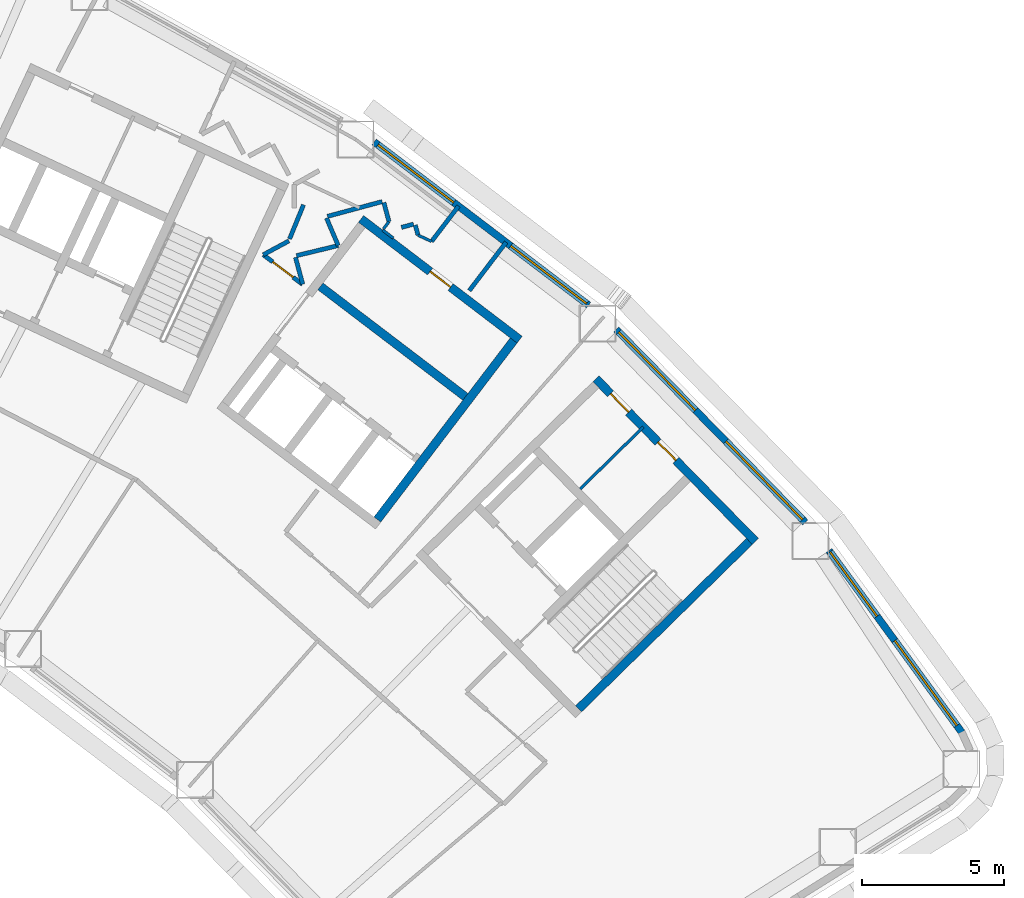
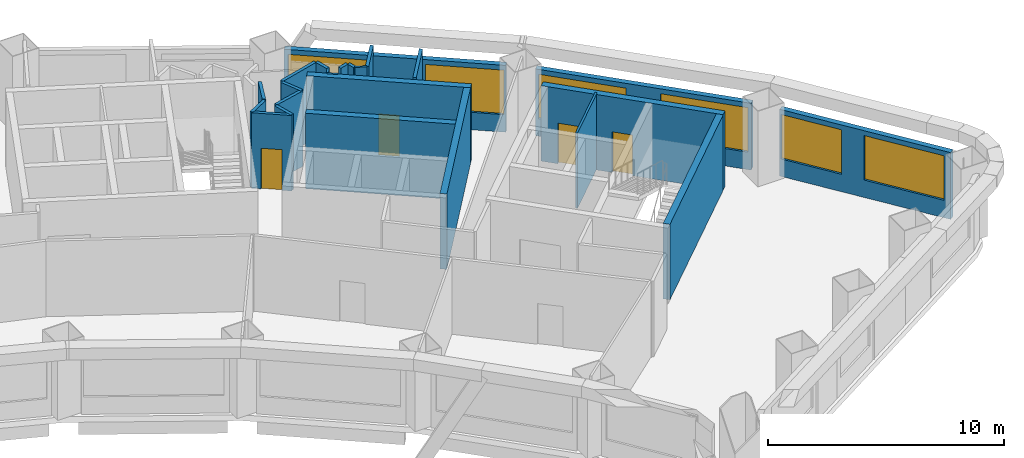
# One storey, part 7 of 11: 24 walls, 6 windows, 4 doors, 10 openings.
"""IFC4 building model written with IfcOpenShell, lengths in metres."""

import ifcopenshell
import ifcopenshell.guid

model = None  # the IFC model being written
_history = None  # IfcOwnerHistory: only IFC2X3 demands one
_inside = {}  # id of a spatial element -> (the spatial element, [elements in it])
_under = {}  # id of a project, library or spatial element -> (it, [spatial elements below it])
_declared = {}  # id of a project -> (the project, [libraries it declares])
_typed = {}  # id of a type object -> (the type object, [elements of that type])
_made_of = {}  # id of a material, layer set ... -> (it, [elements and type objects made of it])


def new_model(schema):
    """Start an empty IFC model of exactly this schema.

    Asked for "IFC4X3", IfcOpenShell would pick the latest addendum, in which some entities
    have other attributes; the version numbers below select the first issue.
    IFC2X3 requires an IfcOwnerHistory on every rooted entity: one is made here for all.
    """
    global model, _history
    if schema == "IFC4X3":
        model = ifcopenshell.file(schema_version=(4, 3, 0, 0))
    else:
        model = ifcopenshell.file(schema=schema)
    _inside.clear()
    _under.clear()
    _declared.clear()
    _typed.clear()
    _made_of.clear()
    _history = None
    if model.schema == "IFC2X3":
        org = make("IfcOrganization", Name="unknown")
        user = make(
            "IfcPersonAndOrganization",
            ThePerson=make("IfcPerson", FamilyName="unknown"),
            TheOrganization=org,
        )
        app = make(
            "IfcApplication",
            ApplicationDeveloper=org,
            Version="unknown",
            ApplicationFullName="unknown",
            ApplicationIdentifier="unknown",
        )
        _history = make(
            "IfcOwnerHistory",
            OwningUser=user,
            OwningApplication=app,
            ChangeAction="ADDED",
            CreationDate=0,
        )
    return model


def make(cls, **values):
    """One entity of the class cls with the attributes given. An attribute that is None is left unset."""
    return model.create_entity(
        cls, **{name: value for name, value in values.items() if value is not None}
    )


def rooted(cls, **values):
    """An entity with a GlobalId (a new one), such as an element, a storey or a relation."""
    return make(cls, GlobalId=ifcopenshell.guid.new(), OwnerHistory=_history, **values)


def si_unit(unit_type, name, prefix=None):
    """IfcSIUnit, for example si_unit("LENGTHUNIT", "METRE", prefix="MILLI")."""
    return make("IfcSIUnit", UnitType=unit_type, Prefix=prefix, Name=name)


def assignment(units):
    """IfcUnitAssignment: the units of a project."""
    return None if units is None else make("IfcUnitAssignment", Units=units)


def point(xyz):
    """IfcCartesianPoint."""
    return None if xyz is None else make("IfcCartesianPoint", Coordinates=xyz)


def direction(xyz):
    """IfcDirection."""
    return None if xyz is None else make("IfcDirection", DirectionRatios=xyz)


def frame(location, z_axis=None, x_axis=None):
    """IfcAxis2Placement3D, a coordinate frame: its origin and axes. An axis left out is left unset."""
    return make(
        "IfcAxis2Placement3D",
        Location=point(location),
        Axis=direction(z_axis),
        RefDirection=direction(x_axis),
    )


def frame_2d(location, x_axis=None):
    """IfcAxis2Placement2D, a coordinate frame in the plane: its origin and x axis."""
    return make(
        "IfcAxis2Placement2D", Location=point(location), RefDirection=direction(x_axis)
    )


def origin():
    """The frame at (0, 0, 0) with its axes left unset."""
    return frame((0.0, 0.0, 0.0))


def place(relative_to, where):
    """IfcLocalPlacement: puts the frame where relative to a parent placement (None: the world)."""
    return make(
        "IfcLocalPlacement", PlacementRelTo=relative_to, RelativePlacement=where
    )


def context(
    kind, dimensions, precision=None, world=None, true_north=None, identifier=None
):
    """IfcGeometricRepresentationContext, for example the 3D "Model" context."""
    return make(
        "IfcGeometricRepresentationContext",
        ContextIdentifier=identifier,
        ContextType=kind,
        CoordinateSpaceDimension=dimensions,
        Precision=precision,
        WorldCoordinateSystem=world,
        TrueNorth=true_north,
    )


def subcontext(parent, identifier, kind, view, scale=None):
    """IfcGeometricRepresentationSubContext, for example "Body" below "Model"."""
    return make(
        "IfcGeometricRepresentationSubContext",
        ContextIdentifier=identifier,
        ContextType=kind,
        ParentContext=parent,
        TargetScale=scale,
        TargetView=view,
    )


def project(units=None, contexts=None):
    """IfcProject with its units and contexts."""
    return rooted(
        "IfcProject",
        Name="project",
        RepresentationContexts=contexts,
        UnitsInContext=assignment(units),
    )


def spatial(cls, under=None, at=None, **own):
    """A site, building, storey or space (cls), placed at a placement, below another one or the project."""
    s = rooted(cls, ObjectPlacement=at, **own)
    if under is not None:
        _under.setdefault(under.id(), (under, []))[1].append(s)
    return s


def profile(cls, at=None, kind="AREA", **sizes):
    """A parametric profile (cls). Its sizes go by their IFC names, for example OverallWidth=200.0."""
    return make(cls, ProfileType=kind, Position=at, **sizes)


def rectangle(**sizes):
    """IfcRectangleProfileDef."""
    return profile("IfcRectangleProfileDef", **sizes)


def extrude(swept, where, along, depth):
    """IfcExtrudedAreaSolid: the profile swept, set in the frame where, extruded along a direction by depth."""
    return make(
        "IfcExtrudedAreaSolid",
        SweptArea=swept,
        Position=where,
        ExtrudedDirection=direction(along),
        Depth=depth,
    )


def shape(context_of_items, identifier, shape_type, items):
    """IfcShapeRepresentation: the items that make up one representation, for example the "Body"."""
    return make(
        "IfcShapeRepresentation",
        ContextOfItems=context_of_items,
        RepresentationIdentifier=identifier,
        RepresentationType=shape_type,
        Items=items,
    )


def material(Name=None, Category=None):
    """IfcMaterial."""
    return make("IfcMaterial", Name=Name, Category=Category)


def layer(
    of_material, thickness, ventilated=None, Name=None, Category=None, Priority=None
):
    """IfcMaterialLayer: one layer of a wall or slab, of a material (None: an air gap)."""
    return make(
        "IfcMaterialLayer",
        Material=of_material,
        LayerThickness=thickness,
        IsVentilated=ventilated,
        Name=Name,
        Category=Category,
        Priority=Priority,
    )


def layer_set(layers, Name=None):
    """IfcMaterialLayerSet."""
    return make("IfcMaterialLayerSet", MaterialLayers=layers, LayerSetName=Name)


def made_of(thing, what):
    """Note that an element or type object is made of a material, layer set ...; save() writes the relation."""
    if what is not None:
        _made_of.setdefault(what.id(), (what, []))[1].append(thing)
    return thing


def type_object(cls, material=None, **own):
    """A type object (cls), such as IfcWallType, which elements share."""
    return made_of(rooted(cls, **own), material)


def element(
    cls,
    number,
    at=None,
    inside=None,
    cuts=None,
    type_object=None,
    material=None,
    context=None,
    identifier="Body",
    shape_type=None,
    held_by="IfcProductDefinitionShape",
    body=None,
    shapes=None,
    **own,
):
    """One element of the class cls, such as IfcWall. Its Tag is "e" and its number.

    at: its placement. inside: the storey or other place that contains it. cuts: it is an
    opening in that element (IfcRelVoidsElement). A single representation is given by context,
    identifier, shape_type and body (its items); several are given by shapes. held_by: the class
    of the entity that holds the representations. save() writes the other relations.
    """
    e = rooted(cls, Tag="e%d" % number, ObjectPlacement=at, **own)
    if body is not None:
        shapes = [shape(context, identifier, shape_type, body)]
    if shapes is not None:
        e.Representation = make(held_by, Representations=shapes)
    if inside is not None:
        _inside.setdefault(inside.id(), (inside, []))[1].append(e)
    if cuts is not None:
        rooted(
            "IfcRelVoidsElement", RelatingBuildingElement=cuts, RelatedOpeningElement=e
        )
    if type_object is not None:
        _typed.setdefault(type_object.id(), (type_object, []))[1].append(e)
    return made_of(e, material)


def fill(opening, filler):
    """IfcRelFillsElement: the door or window that sits in an opening."""
    return rooted(
        "IfcRelFillsElement",
        RelatingOpeningElement=opening,
        RelatedBuildingElement=filler,
    )


def aggregate(whole, parts):
    """IfcRelAggregates: a whole, such as a stair, and the parts it consists of."""
    return rooted("IfcRelAggregates", RelatingObject=whole, RelatedObjects=parts)


def save(model, path):
    """Write the relations noted so far, then the file.

    IfcRelAggregates (storeys below a building ...), IfcRelContainedInSpatialStructure (elements
    in a storey), IfcRelDefinesByType, IfcRelAssociatesMaterial and IfcRelDeclares: one each for
    every whole, place, type object, material and project.
    """
    for whole, parts in _under.values():
        aggregate(whole, parts)
    for where, things in _inside.values():
        rooted(
            "IfcRelContainedInSpatialStructure",
            RelatedElements=things,
            RelatingStructure=where,
        )
    for kind, things in _typed.values():
        rooted("IfcRelDefinesByType", RelatedObjects=things, RelatingType=kind)
    for what, things in _made_of.values():
        rooted("IfcRelAssociatesMaterial", RelatedObjects=things, RelatingMaterial=what)
    for by, libraries in _declared.values():
        rooted("IfcRelDeclares", RelatingContext=by, RelatedDefinitions=libraries)
    model.write(path)


model = new_model("IFC4")

# Units and contexts
model_context = context("Model", 3, precision=1e-05, world=origin(), true_north=direction((0.0, 1.0)))
body_context = subcontext(model_context, "Body", "Model", "MODEL_VIEW")
ifc_project = project(units=[si_unit("LENGTHUNIT", "METRE"), si_unit("AREAUNIT", "SQUARE_METRE"), si_unit("VOLUMEUNIT", "CUBIC_METRE"), si_unit("PLANEANGLEUNIT", "RADIAN"), si_unit("MASSUNIT", "GRAM", prefix="KILO")], contexts=[model_context])

# Site, building, storey
site_placement = place(None, origin())
site = spatial("IfcSite", under=ifc_project, at=site_placement, CompositionType="ELEMENT")
building_placement = place(site_placement, origin())
building = spatial("IfcBuilding", under=site, at=building_placement, Name="Tuul Gate Civic Tower", CompositionType="ELEMENT")
storey_placement = place(building_placement, frame((0.0, 0.0, 35.699951171875)))
storey = spatial("IfcBuildingStorey", under=building, at=storey_placement, Name="Level 07", CompositionType="ELEMENT", Elevation=35.699951171875)

# Wall, openings, doors
ifc_material_1 = material(Name="Concrete C50/60", Category="concrete")
ifc_layer_1 = layer(ifc_material_1, 0.300048828125)
ifc_layer_set_1 = layer_set([ifc_layer_1], Name="Concrete C50/60")
wall_type_1 = type_object("IfcWallType", Name="Core wall C50/60", PredefinedType="SHEAR", material=ifc_layer_set_1)
wall_1_placement = place(storey_placement, frame((54.43798828125, -12.23779296875, 0.0), z_axis=(0.0, 0.0, 1.0), x_axis=(-0.700021979774, 0.714121297703, 0.0)))
wall_1 = element("IfcWall", 1, at=wall_1_placement, inside=storey, type_object=wall_type_1, Name="Core wall", PredefinedType="SHEAR", context=body_context, shape_type="SweptSolid", body=[
    extrude(rectangle(XDim=8.0, YDim=0.300048828125, at=frame_2d((4.0, 0.0))), origin(), (0.0, 0.0, 1.0), 3.900146484375),
])
opening_1_placement = place(wall_1_placement, frame((3.987548828125, 0.0, 0.0)))
opening_1 = element("IfcOpeningElement", 2, at=opening_1_placement, cuts=wall_1, Name="Opening A-D22", PredefinedType="OPENING", context=body_context, shape_type="SweptSolid", body=[
    extrude(rectangle(XDim=0.89990234375, YDim=2.10009765625, at=frame_2d((0.449951171875, 1.050048828125))), frame((0.0, 0.16015625, 0.0), z_axis=(0.0, -1.0, 0.0), x_axis=(1.0, 0.0, 0.0)), (0.0, 0.0, 1.0), 0.320068359375),
])
opening_2_placement = place(wall_1_placement, frame((6.362548828125, 0.0, 0.0)))
opening_2 = element("IfcOpeningElement", 3, at=opening_2_placement, cuts=wall_1, Name="Opening A-D23", PredefinedType="OPENING", context=body_context, shape_type="SweptSolid", body=[
    extrude(rectangle(XDim=0.89990234375, YDim=2.10009765625, at=frame_2d((0.449951171875, 1.050048828125))), frame((0.0, 0.16015625, 0.0), z_axis=(0.0, -1.0, 0.0), x_axis=(1.0, 0.0, 0.0)), (0.0, 0.0, 1.0), 0.320068359375),
])
ifc_material_2 = material(Name="Timber door leaf", Category="wood")
door_type = type_object("IfcDoorType", Name="Door D09", OperationType="NOTDEFINED", PredefinedType="DOOR", material=ifc_material_2)
door_1_placement = place(opening_1_placement, origin())
door_1 = element("IfcDoor", 4, at=door_1_placement, inside=storey, type_object=door_type, Name="Door A-D22", OperationType="SINGLE_SWING_LEFT", OverallHeight=2.10009765625, OverallWidth=0.89990234375, PredefinedType="DOOR", context=body_context, shape_type="SweptSolid", body=[
    extrude(rectangle(XDim=0.89990234375, YDim=2.10009765625, at=frame_2d((0.449951171875, 1.050048828125))), frame((0.0, 0.02490234375, 0.0), z_axis=(0.0, -1.0, 0.0), x_axis=(1.0, 0.0, 0.0)), (0.0, 0.0, 1.0), 0.050048828125),
])
fill(opening_1, door_1)
door_2_placement = place(opening_2_placement, origin())
door_2 = element("IfcDoor", 5, at=door_2_placement, inside=storey, type_object=door_type, Name="Door A-D23", OperationType="SINGLE_SWING_LEFT", OverallHeight=2.10009765625, OverallWidth=0.89990234375, PredefinedType="DOOR", context=body_context, shape_type="SweptSolid", body=[
    extrude(rectangle(XDim=0.89990234375, YDim=2.10009765625, at=frame_2d((0.449951171875, 1.050048828125))), frame((0.0, 0.02490234375, 0.0), z_axis=(0.0, -1.0, 0.0), x_axis=(1.0, 0.0, 0.0)), (0.0, 0.0, 1.0), 0.050048828125),
])
fill(opening_2, door_2)

# Walls
wall_2_placement = place(storey_placement, frame((48.227294921875, -18.115966796875, 0.0), z_axis=(0.0, 0.0, 1.0), x_axis=(0.714105315431, 0.700038283577, 0.0)))
element("IfcWall", 6, at=wall_2_placement, inside=storey, type_object=wall_type_1, Name="Core wall", PredefinedType="SHEAR", context=body_context, shape_type="SweptSolid", body=[
    extrude(rectangle(XDim=8.400146484375, YDim=0.300048828125, at=frame_2d((4.2001953125, 0.0))), origin(), (0.0, 0.0, 1.0), 3.900146484375),
])
ifc_material_3 = material(Name="Gypsum board partition")
ifc_layer_2 = layer(ifc_material_3, 0.14990234375)
ifc_layer_set_2 = layer_set([ifc_layer_2], Name="Gypsum board partition")
wall_type_2 = type_object("IfcWallType", Name="Corridor wall P150", PredefinedType="PARTITIONING", material=ifc_layer_set_2)
wall_3_placement = place(storey_placement, frame((44.392333984375, -3.429443359375, 0.0), z_axis=(0.0, 0.0, 1.0), x_axis=(0.605822613047, 0.795599749573, 0.0)))
element("IfcWall", 7, at=wall_3_placement, inside=storey, type_object=wall_type_2, Name="p011", PredefinedType="PARTITIONING", context=body_context, shape_type="SweptSolid", body=[
    extrude(rectangle(XDim=2.13427734375, YDim=0.14990234375, at=frame_2d((1.067138671875, 0.0))), origin(), (0.0, 0.0, 1.0), 3.900146484375),
])
wall_4_placement = place(storey_placement, frame((42.49609375, -1.130615234375, 0.0), z_axis=(0.0, 0.0, 1.0), x_axis=(0.260334388139, -0.965518516836, 0.0)))
element("IfcWall", 8, at=wall_4_placement, inside=storey, type_object=wall_type_2, Name="p012", PredefinedType="PARTITIONING", context=body_context, shape_type="SweptSolid", body=[
    extrude(rectangle(XDim=0.36376953125, YDim=0.14990234375, at=frame_2d((0.181884765625, 0.0))), origin(), (0.0, 0.0, 1.0), 3.900146484375),
])
wall_5_placement = place(storey_placement, frame((38.324951171875, -2.202392578125, 0.0), z_axis=(0.0, 0.0, 1.0), x_axis=(0.97201969749, 0.234899356515, 0.0)))
element("IfcWall", 9, at=wall_5_placement, inside=storey, type_object=wall_type_2, Name="p013", PredefinedType="PARTITIONING", context=body_context, shape_type="SweptSolid", body=[
    extrude(rectangle(XDim=1.506103515625, YDim=0.14990234375, at=frame_2d((0.7529296875, 0.0))), origin(), (0.0, 0.0, 1.0), 3.900146484375),
])
wall_6_placement = place(storey_placement, frame((42.0087890625, -1.210693359375, 0.0), z_axis=(0.0, 0.0, 1.0), x_axis=(0.965487504483, 0.260449378357, 0.0)))
element("IfcWall", 10, at=wall_6_placement, inside=storey, type_object=wall_type_2, Name="p014", PredefinedType="PARTITIONING", context=body_context, shape_type="SweptSolid", body=[
    extrude(rectangle(XDim=0.44140625, YDim=0.14990234375, at=frame_2d((0.220703125, 0.0))), origin(), (0.0, 0.0, 1.0), 3.900146484375),
])
wall_7_placement = place(storey_placement, frame((41.392333984375, -0.340087890625, 0.0), z_axis=(0.0, 0.0, 1.0), x_axis=(0.260455038603, -0.965485977561, 0.0)))
element("IfcWall", 11, at=wall_7_placement, inside=storey, type_object=wall_type_2, Name="p015", PredefinedType="PARTITIONING", context=body_context, shape_type="SweptSolid", body=[
    extrude(rectangle(XDim=0.69091796875, YDim=0.14990234375, at=frame_2d((0.345458984375, 0.0))), origin(), (0.0, 0.0, 1.0), 3.900146484375),
])
wall_8_placement = place(storey_placement, frame((39.414306640625, -0.822265625, 0.0), z_axis=(0.0, 0.0, 1.0), x_axis=(0.965483838188, 0.260462968957, 0.0)))
element("IfcWall", 12, at=wall_8_placement, inside=storey, type_object=wall_type_2, Name="p016", PredefinedType="PARTITIONING", context=body_context, shape_type="SweptSolid", body=[
    extrude(rectangle(XDim=1.9853515625, YDim=0.14990234375, at=frame_2d((0.99267578125, 0.0))), origin(), (0.0, 0.0, 1.0), 3.900146484375),
])
wall_9_placement = place(storey_placement, frame((43.066650390625, -1.703857421875, 0.0), z_axis=(0.0, 0.0, 1.0), x_axis=(0.606522762307, 0.795066122284, 0.0)))
element("IfcWall", 13, at=wall_9_placement, inside=storey, type_object=wall_type_2, Name="p026", PredefinedType="PARTITIONING", context=body_context, shape_type="SweptSolid", body=[
    extrude(rectangle(XDim=1.564208984375, YDim=0.14990234375, at=frame_2d((0.7822265625, 0.0))), origin(), (0.0, 0.0, 1.0), 3.900146484375),
])
wall_10_placement = place(storey_placement, frame((38.0810546875, -1.615234375, 0.0), z_axis=(0.0, 0.0, 1.0), x_axis=(0.378302544381, 0.92568201069, 0.0)))
element("IfcWall", 14, at=wall_10_placement, inside=storey, type_object=wall_type_2, Name="p069", PredefinedType="PARTITIONING", context=body_context, shape_type="SweptSolid", body=[
    extrude(rectangle(XDim=1.295166015625, YDim=0.14990234375, at=frame_2d((0.6474609375, 0.0))), origin(), (0.0, 0.0, 1.0), 3.900146484375),
])
wall_11_placement = place(storey_placement, frame((37.1572265625, -2.1708984375, 0.0), z_axis=(0.0, 0.0, 1.0), x_axis=(0.879851690759, 0.475248358512, 0.0)))
element("IfcWall", 15, at=wall_11_placement, inside=storey, type_object=wall_type_2, Name="p070", PredefinedType="PARTITIONING", context=body_context, shape_type="SweptSolid", body=[
    extrude(rectangle(XDim=1.0263671875, YDim=0.14990234375, at=frame_2d((0.51318359375, 0.0))), origin(), (0.0, 0.0, 1.0), 3.900146484375),
])

# Wall, opening, door
wall_12_placement = place(storey_placement, frame((37.1572265625, -2.1708984375, 0.0), z_axis=(0.0, 0.0, 1.0), x_axis=(0.798980317179, -0.601357175695, 0.0)))
wall_12 = element("IfcWall", 16, at=wall_12_placement, inside=storey, type_object=wall_type_2, Name="p071", PredefinedType="PARTITIONING", context=body_context, shape_type="SweptSolid", body=[
    extrude(rectangle(XDim=1.725830078125, YDim=0.14990234375, at=frame_2d((0.86279296875, 0.0))), origin(), (0.0, 0.0, 1.0), 3.900146484375),
])
opening_3_placement = place(wall_12_placement, frame((0.412841796875, 0.0, 0.0)))
opening_3 = element("IfcOpeningElement", 17, at=opening_3_placement, cuts=wall_12, Name="Opening A-D18", PredefinedType="OPENING", context=body_context, shape_type="SweptSolid", body=[
    extrude(rectangle(XDim=0.89990234375, YDim=2.10009765625, at=frame_2d((0.449951171875, 1.050048828125))), frame((0.0, 0.0849609375, 0.0), z_axis=(0.0, -1.0, 0.0), x_axis=(1.0, 0.0, 0.0)), (0.0, 0.0, 1.0), 0.169921875),
])
door_3_placement = place(opening_3_placement, frame((0.89990234375, 0.0, 0.0), z_axis=(0.0, 0.0, 1.0), x_axis=(-1.0, 0.0, 0.0)))
door_3 = element("IfcDoor", 18, at=door_3_placement, inside=storey, type_object=door_type, Name="Door A-D18", OperationType="SINGLE_SWING_LEFT", OverallHeight=2.10009765625, OverallWidth=0.89990234375, PredefinedType="DOOR", context=body_context, shape_type="SweptSolid", body=[
    extrude(rectangle(XDim=0.89990234375, YDim=2.10009765625, at=frame_2d((0.449951171875, 1.050048828125))), frame((0.0, 0.02490234375, 0.0), z_axis=(0.0, -1.0, 0.0), x_axis=(1.0, 0.0, 0.0)), (0.0, 0.0, 1.0), 0.050048828125),
])
fill(opening_3, door_3)

# Walls
wall_13_placement = place(storey_placement, frame((38.289306640625, -2.263916015625, 0.0), z_axis=(0.0, 0.0, 1.0), x_axis=(0.259910493651, -0.965632712417, 0.0)))
element("IfcWall", 19, at=wall_13_placement, inside=storey, type_object=wall_type_2, Name="p072", PredefinedType="PARTITIONING", context=body_context, shape_type="SweptSolid", body=[
    extrude(rectangle(XDim=0.97314453125, YDim=0.14990234375, at=frame_2d((0.486572265625, 0.0))), origin(), (0.0, 0.0, 1.0), 3.900146484375),
])
wall_14_placement = place(storey_placement, frame((39.378662109375, -0.8837890625, 0.0), z_axis=(0.0, 0.0, 1.0), x_axis=(0.391219535686, -0.920297383946, 0.0)))
element("IfcWall", 20, at=wall_14_placement, inside=storey, type_object=wall_type_2, Name="p073", PredefinedType="PARTITIONING", context=body_context, shape_type="SweptSolid", body=[
    extrude(rectangle(XDim=1.04833984375, YDim=0.14990234375, at=frame_2d((0.524169921875, 0.0))), origin(), (0.0, 0.0, 1.0), 3.900146484375),
])

# Wall, openings, windows
ifc_material_4 = material(Name="Precast concrete C40/50", Category="concrete")
ifc_layer_3 = layer(ifc_material_4, 0.25)
ifc_layer_set_3 = layer_set([ifc_layer_3], Name="Precast concrete C40/50")
wall_type_3 = type_object("IfcWallType", Name="External wall", PredefinedType="STANDARD", material=ifc_layer_set_3)
wall_15_placement = place(storey_placement, frame((61.68896484375, -18.94677734375, 0.0), z_axis=(0.0, 0.0, 1.0), x_axis=(-0.589806928208, 0.807544294412, 0.0)))
wall_15 = element("IfcWall", 21, at=wall_15_placement, inside=storey, type_object=wall_type_3, Name="External wall", PredefinedType="STANDARD", context=body_context, shape_type="SweptSolid", body=[
    extrude(rectangle(XDim=7.912841796875, YDim=0.25, at=frame_2d((3.95654296875, 0.0))), origin(), (0.0, 0.0, 1.0), 3.449951171875),
])
opening_4_placement = place(wall_15_placement, frame((0.30078125, 0.0, 0.89990234375)))
opening_4 = element("IfcOpeningElement", 22, at=opening_4_placement, cuts=wall_15, Name="Opening W21", PredefinedType="OPENING", context=body_context, shape_type="SweptSolid", body=[
    extrude(rectangle(XDim=3.699951171875, YDim=2.300048828125, at=frame_2d((1.85009765625, 1.14990234375))), frame((0.0, 0.135009765625, 0.0), z_axis=(0.0, -1.0, 0.0), x_axis=(1.0, 0.0, 0.0)), (0.0, 0.0, 1.0), 0.27001953125),
])
opening_5_placement = place(wall_15_placement, frame((5.052001953125, 0.0, 0.89990234375)))
opening_5 = element("IfcOpeningElement", 23, at=opening_5_placement, cuts=wall_15, Name="Opening W23", PredefinedType="OPENING", context=body_context, shape_type="SweptSolid", body=[
    extrude(rectangle(XDim=2.800048828125, YDim=2.300048828125, at=frame_2d((1.39990234375, 1.14990234375))), frame((0.0, 0.135009765625, 0.0), z_axis=(0.0, -1.0, 0.0), x_axis=(1.0, 0.0, 0.0)), (0.0, 0.0, 1.0), 0.27001953125),
])
ifc_material_5 = material(Name="Glass", Category="glass")
window_type_1 = type_object("IfcWindowType", Name="Window W21 3700 x 2300", PartitioningType="SINGLE_PANEL", PredefinedType="WINDOW", material=ifc_material_5)
window_1_placement = place(opening_4_placement, origin())
window_1 = element("IfcWindow", 24, at=window_1_placement, inside=storey, type_object=window_type_1, Name="Window", OverallHeight=2.300048828125, OverallWidth=3.699951171875, PartitioningType="SINGLE_PANEL", PredefinedType="WINDOW", context=body_context, shape_type="SweptSolid", body=[
    extrude(rectangle(XDim=3.699951171875, YDim=2.300048828125, at=frame_2d((1.85009765625, 1.14990234375))), frame((0.0, 0.030029296875, 0.0), z_axis=(0.0, -1.0, 0.0), x_axis=(1.0, 0.0, 0.0)), (0.0, 0.0, 1.0), 0.06005859375),
])
fill(opening_4, window_1)
ifc_material_6 = material(Name="Glass", Category="glass")
window_type_2 = type_object("IfcWindowType", Name="Window W23 2800 x 2300", PartitioningType="SINGLE_PANEL", PredefinedType="WINDOW", material=ifc_material_6)
window_2_placement = place(opening_5_placement, origin())
window_2 = element("IfcWindow", 25, at=window_2_placement, inside=storey, type_object=window_type_2, Name="Window", OverallHeight=2.300048828125, OverallWidth=2.800048828125, PartitioningType="SINGLE_PANEL", PredefinedType="WINDOW", context=body_context, shape_type="SweptSolid", body=[
    extrude(rectangle(XDim=2.800048828125, YDim=2.300048828125, at=frame_2d((1.39990234375, 1.14990234375))), frame((0.0, 0.030029296875, 0.0), z_axis=(0.0, -1.0, 0.0), x_axis=(1.0, 0.0, 0.0)), (0.0, 0.0, 1.0), 0.06005859375),
])
fill(opening_5, window_2)

wall_16_placement = place(storey_placement, frame((56.18896484375, -11.56689453125, 0.0), z_axis=(0.0, 0.0, 1.0), x_axis=(-0.699994476854, 0.714148256578, 0.0)))
wall_16 = element("IfcWall", 26, at=wall_16_placement, inside=storey, type_object=wall_type_3, Name="External wall", PredefinedType="STANDARD", context=body_context, shape_type="SweptSolid", body=[
    extrude(rectangle(XDim=9.487060546875, YDim=0.25, at=frame_2d((4.74365234375, 0.0))), origin(), (0.0, 0.0, 1.0), 3.449951171875),
])
opening_6_placement = place(wall_16_placement, frame((0.135498046875, 0.0, 0.89990234375)))
opening_6 = element("IfcOpeningElement", 27, at=opening_6_placement, cuts=wall_16, Name="Opening W22", PredefinedType="OPENING", context=body_context, shape_type="SweptSolid", body=[
    extrude(rectangle(XDim=3.85009765625, YDim=2.300048828125, at=frame_2d((1.925048828125, 1.14990234375))), frame((0.0, 0.135009765625, 0.0), z_axis=(0.0, -1.0, 0.0), x_axis=(1.0, 0.0, 0.0)), (0.0, 0.0, 1.0), 0.27001953125),
])
opening_7_placement = place(wall_16_placement, frame((5.5068359375, 0.0, 0.89990234375)))
opening_7 = element("IfcOpeningElement", 28, at=opening_7_placement, cuts=wall_16, Name="Opening W22", PredefinedType="OPENING", context=body_context, shape_type="SweptSolid", body=[
    extrude(rectangle(XDim=3.85009765625, YDim=2.300048828125, at=frame_2d((1.925048828125, 1.14990234375))), frame((0.0, 0.135009765625, 0.0), z_axis=(0.0, -1.0, 0.0), x_axis=(1.0, 0.0, 0.0)), (0.0, 0.0, 1.0), 0.27001953125),
])
ifc_material_7 = material(Name="Glass", Category="glass")
window_type_3 = type_object("IfcWindowType", Name="Window W22 3850 x 2300", PartitioningType="SINGLE_PANEL", PredefinedType="WINDOW", material=ifc_material_7)
window_3_placement = place(opening_6_placement, origin())
window_3 = element("IfcWindow", 29, at=window_3_placement, inside=storey, type_object=window_type_3, Name="Window", OverallHeight=2.300048828125, OverallWidth=3.85009765625, PartitioningType="SINGLE_PANEL", PredefinedType="WINDOW", context=body_context, shape_type="SweptSolid", body=[
    extrude(rectangle(XDim=3.85009765625, YDim=2.300048828125, at=frame_2d((1.925048828125, 1.14990234375))), frame((0.0, 0.030029296875, 0.0), z_axis=(0.0, -1.0, 0.0), x_axis=(1.0, 0.0, 0.0)), (0.0, 0.0, 1.0), 0.06005859375),
])
fill(opening_6, window_3)
window_4_placement = place(opening_7_placement, origin())
window_4 = element("IfcWindow", 30, at=window_4_placement, inside=storey, type_object=window_type_3, Name="Window", OverallHeight=2.300048828125, OverallWidth=3.85009765625, PartitioningType="SINGLE_PANEL", PredefinedType="WINDOW", context=body_context, shape_type="SweptSolid", body=[
    extrude(rectangle(XDim=3.85009765625, YDim=2.300048828125, at=frame_2d((1.925048828125, 1.14990234375))), frame((0.0, 0.030029296875, 0.0), z_axis=(0.0, -1.0, 0.0), x_axis=(1.0, 0.0, 0.0)), (0.0, 0.0, 1.0), 0.06005859375),
])
fill(opening_7, window_4)

wall_17_placement = place(storey_placement, frame((48.579833984375, -3.94189453125, 0.0), z_axis=(0.0, 0.0, 1.0), x_axis=(-0.795612935537, 0.605805296119, 0.0)))
wall_17 = element("IfcWall", 31, at=wall_17_placement, inside=storey, type_object=wall_type_3, Name="External wall", PredefinedType="STANDARD", context=body_context, shape_type="SweptSolid", body=[
    extrude(rectangle(XDim=9.461669921875, YDim=0.25, at=frame_2d((4.73095703125, 0.0))), origin(), (0.0, 0.0, 1.0), 3.449951171875),
])
opening_8_placement = place(wall_17_placement, frame((0.086669921875, 0.0, 0.89990234375)))
opening_8 = element("IfcOpeningElement", 32, at=opening_8_placement, cuts=wall_17, Name="Opening W27", PredefinedType="OPENING", context=body_context, shape_type="SweptSolid", body=[
    extrude(rectangle(XDim=3.35009765625, YDim=2.300048828125, at=frame_2d((1.675048828125, 1.14990234375))), frame((0.0, 0.135009765625, 0.0), z_axis=(0.0, -1.0, 0.0), x_axis=(1.0, 0.0, 0.0)), (0.0, 0.0, 1.0), 0.27001953125),
])
opening_9_placement = place(wall_17_placement, frame((5.947021484375, 0.0, 0.89990234375)))
opening_9 = element("IfcOpeningElement", 33, at=opening_9_placement, cuts=wall_17, Name="Opening W27", PredefinedType="OPENING", context=body_context, shape_type="SweptSolid", body=[
    extrude(rectangle(XDim=3.35009765625, YDim=2.300048828125, at=frame_2d((1.675048828125, 1.14990234375))), frame((0.0, 0.135009765625, 0.0), z_axis=(0.0, -1.0, 0.0), x_axis=(1.0, 0.0, 0.0)), (0.0, 0.0, 1.0), 0.27001953125),
])
ifc_material_8 = material(Name="Glass", Category="glass")
window_type_4 = type_object("IfcWindowType", Name="Window 3350 x 2300", PartitioningType="SINGLE_PANEL", PredefinedType="WINDOW", material=ifc_material_8)
window_5_placement = place(opening_8_placement, origin())
window_5 = element("IfcWindow", 34, at=window_5_placement, inside=storey, type_object=window_type_4, Name="Window", OverallHeight=2.300048828125, OverallWidth=3.35009765625, PartitioningType="SINGLE_PANEL", PredefinedType="WINDOW", context=body_context, shape_type="SweptSolid", body=[
    extrude(rectangle(XDim=3.35009765625, YDim=2.300048828125, at=frame_2d((1.675048828125, 1.14990234375))), frame((0.0, 0.030029296875, 0.0), z_axis=(0.0, -1.0, 0.0), x_axis=(1.0, 0.0, 0.0)), (0.0, 0.0, 1.0), 0.06005859375),
])
fill(opening_8, window_5)
window_6_placement = place(opening_9_placement, origin())
window_6 = element("IfcWindow", 35, at=window_6_placement, inside=storey, type_object=window_type_4, Name="Window", OverallHeight=2.300048828125, OverallWidth=3.35009765625, PartitioningType="SINGLE_PANEL", PredefinedType="WINDOW", context=body_context, shape_type="SweptSolid", body=[
    extrude(rectangle(XDim=3.35009765625, YDim=2.300048828125, at=frame_2d((1.675048828125, 1.14990234375))), frame((0.0, 0.030029296875, 0.0), z_axis=(0.0, -1.0, 0.0), x_axis=(1.0, 0.0, 0.0)), (0.0, 0.0, 1.0), 0.06005859375),
])
fill(opening_9, window_6)

# Wall
ifc_material_9 = material(Name="Concrete C40/50", Category="concrete")
ifc_layer_4 = layer(ifc_material_9, 0.300048828125)
ifc_layer_set_4 = layer_set([ifc_layer_4], Name="Concrete C40/50")
wall_type_4 = type_object("IfcWallType", Name="Lift shaft wall C40/50", PredefinedType="STANDARD", material=ifc_layer_set_4)
wall_18_placement = place(storey_placement, frame((44.254638671875, -7.15966796875, 0.0), z_axis=(0.0, 0.0, 1.0), x_axis=(-0.795565675562, 0.605867358312, 0.0)))
element("IfcWall", 36, at=wall_18_placement, inside=storey, type_object=wall_type_4, Name="Shaft wall", PredefinedType="STANDARD", context=body_context, shape_type="SweptSolid", body=[
    extrude(rectangle(XDim=6.400146484375, YDim=0.300048828125, at=frame_2d((3.2001953125, 0.0))), origin(), (0.0, 0.0, 1.0), 3.900146484375),
])

# Wall, opening, door
wall_19_placement = place(storey_placement, frame((46.1591796875, -5.1533203125, 0.0), z_axis=(0.0, 0.0, 1.0), x_axis=(-0.795579811045, 0.605848796531, 0.0)))
wall_19 = element("IfcWall", 37, at=wall_19_placement, inside=storey, type_object=wall_type_4, Name="Shaft wall", PredefinedType="STANDARD", context=body_context, shape_type="SweptSolid", body=[
    extrude(rectangle(XDim=7.0, YDim=0.300048828125, at=frame_2d((3.5, 0.0))), origin(), (0.0, 0.0, 1.0), 3.900146484375),
])
opening_10_placement = place(wall_19_placement, frame((3.050048828125, 0.0, 0.0)))
opening_10 = element("IfcOpeningElement", 38, at=opening_10_placement, cuts=wall_19, Name="Opening A-D21", PredefinedType="OPENING", context=body_context, shape_type="SweptSolid", body=[
    extrude(rectangle(XDim=0.89990234375, YDim=2.10009765625, at=frame_2d((0.449951171875, 1.050048828125))), frame((0.0, 0.16015625, 0.0), z_axis=(0.0, -1.0, 0.0), x_axis=(1.0, 0.0, 0.0)), (0.0, 0.0, 1.0), 0.320068359375),
])
door_4_placement = place(opening_10_placement, origin())
door_4 = element("IfcDoor", 39, at=door_4_placement, inside=storey, type_object=door_type, Name="Door A-D21", OperationType="SINGLE_SWING_LEFT", OverallHeight=2.10009765625, OverallWidth=0.89990234375, PredefinedType="DOOR", context=body_context, shape_type="SweptSolid", body=[
    extrude(rectangle(XDim=0.89990234375, YDim=2.10009765625, at=frame_2d((0.449951171875, 1.050048828125))), frame((0.0, 0.02490234375, 0.0), z_axis=(0.0, -1.0, 0.0), x_axis=(1.0, 0.0, 0.0)), (0.0, 0.0, 1.0), 0.050048828125),
])
fill(opening_10, door_4)

# Walls
wall_20_placement = place(storey_placement, frame((41.163330078125, -11.46728515625, 0.0), z_axis=(0.0, 0.0, 1.0), x_axis=(0.605784332699, 0.795628897324, 0.0)))
element("IfcWall", 40, at=wall_20_placement, inside=storey, type_object=wall_type_4, Name="Shaft wall", PredefinedType="STANDARD", context=body_context, shape_type="SweptSolid", body=[
    extrude(rectangle(XDim=7.89990234375, YDim=0.300048828125, at=frame_2d((3.949951171875, 0.0))), origin(), (0.0, 0.0, 1.0), 3.900146484375),
])
ifc_material_10 = material(Name="Gypsum board partition")
ifc_layer_5 = layer(ifc_material_10, 0.10009765625)
ifc_layer_set_5 = layer_set([ifc_layer_5], Name="Gypsum board partition")
wall_type_5 = type_object("IfcWallType", Name="Partition P100", PredefinedType="PARTITIONING", material=ifc_layer_set_5)
wall_21_placement = place(storey_placement, frame((43.066650390625, -1.703857421875, 0.0), z_axis=(0.0, 0.0, 1.0), x_axis=(-0.906278152891, 0.422681806556, 0.0)))
element("IfcWall", 41, at=wall_21_placement, inside=storey, type_object=wall_type_5, Name="p074", PredefinedType="PARTITIONING", context=body_context, shape_type="SweptSolid", body=[
    extrude(rectangle(XDim=0.525146484375, YDim=0.10009765625, at=frame_2d((0.2626953125, 0.0))), origin(), (0.0, 0.0, 1.0), 3.900146484375),
])
wall_22_placement = place(storey_placement, frame((41.72265625, -1.586181640625, 0.0), z_axis=(0.0, 0.0, 1.0), x_axis=(-0.795681861746, 0.605714763638, 0.0)))
element("IfcWall", 42, at=wall_22_placement, inside=storey, type_object=wall_type_5, Name="p075", PredefinedType="PARTITIONING", context=body_context, shape_type="SweptSolid", body=[
    extrude(rectangle(XDim=0.470458984375, YDim=0.10009765625, at=frame_2d((0.2353515625, 0.0))), origin(), (0.0, 0.0, 1.0), 3.900146484375),
])
wall_23_placement = place(storey_placement, frame((41.572265625, -1.007080078125, 0.0), z_axis=(0.0, 0.0, 1.0), x_axis=(-0.605605946975, -0.795764686945, 0.0)))
element("IfcWall", 43, at=wall_23_placement, inside=storey, type_object=wall_type_5, Name="p081", PredefinedType="PARTITIONING", context=body_context, shape_type="SweptSolid", body=[
    extrude(rectangle(XDim=0.319580078125, YDim=0.10009765625, at=frame_2d((0.15966796875, 0.0))), origin(), (0.0, 0.0, 1.0), 3.900146484375),
])
wall_24_placement = place(storey_placement, frame((48.28662109375, -10.390869140625, 0.0), z_axis=(0.0, 0.0, 1.0), x_axis=(0.714159293908, 0.699983216173, 0.0)))
element("IfcWall", 44, at=wall_24_placement, inside=storey, type_object=wall_type_5, Name="bE1-BAND-0", PredefinedType="PARTITIONING", context=body_context, shape_type="SweptSolid", body=[
    extrude(rectangle(XDim=3.099853515625, YDim=0.10009765625, at=frame_2d((1.5498046875, 0.0))), origin(), (0.0, 0.0, 1.0), 3.900146484375),
])

save(model, "model.ifc")
